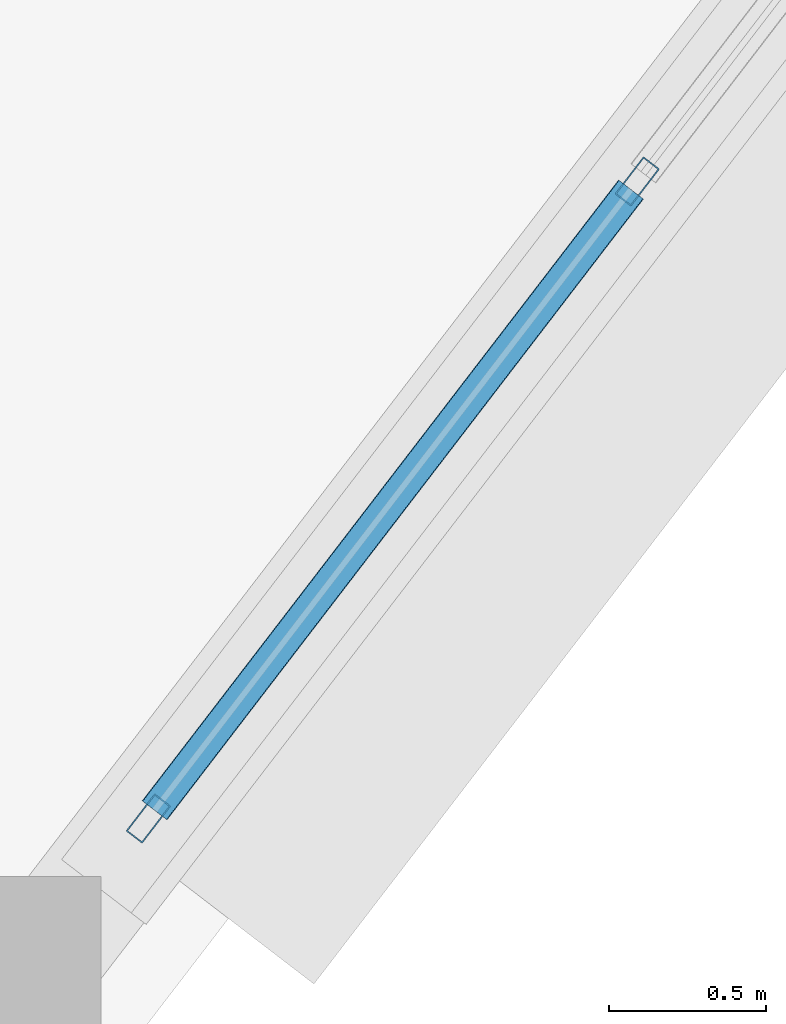
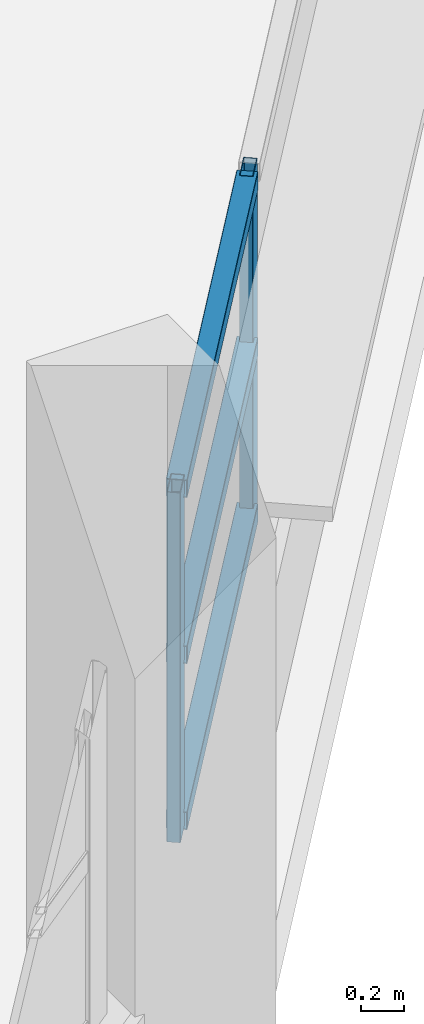
# One storey, part 47 of 108: 5 members, 1 element without a shape of its own.
"""IFC4 building model written with IfcOpenShell, lengths in metres."""

from ifc_helpers import new_model, si_unit, direction, frame, origin, origin_2d, place, context, subcontext, project, spatial, hollow_rectangle, extrude, material, layer, layer_set, material_profile, profile_set, type_object, element, aggregate, save


model = new_model("IFC4")

# Units and contexts
model_context = context("Model", 3, precision=1e-05, world=origin(), true_north=direction((0.0, 1.0)))
body_context = subcontext(model_context, "Body", "Model", "MODEL_VIEW")
ifc_project = project(units=[si_unit("LENGTHUNIT", "METRE"), si_unit("AREAUNIT", "SQUARE_METRE"), si_unit("VOLUMEUNIT", "CUBIC_METRE"), si_unit("PLANEANGLEUNIT", "RADIAN"), si_unit("MASSUNIT", "GRAM", prefix="KILO")], contexts=[model_context])

# Site, building, storey
site_placement = place(None, origin())
site = spatial("IfcSite", under=ifc_project, at=site_placement, CompositionType="ELEMENT")
building_placement = place(site_placement, origin())
building = spatial("IfcBuilding", under=site, at=building_placement, Name="Vespera Passage Community Centre", CompositionType="ELEMENT")
storey_placement = place(building_placement, frame((0.0, 0.0, 12.60009765625)))
storey = spatial("IfcBuildingStorey", under=building, at=storey_placement, Name="L03", CompositionType="ELEMENT", Elevation=12.60009765625)

# Curtain wall, members
ifc_material_1 = material(Name="Anodized aluminium 6063-T6", Category="aluminium")
ifc_layer = layer(ifc_material_1, 0.159912109375)
ifc_layer_set = layer_set([ifc_layer], Name="Anodized aluminium 6063-T6")
curtain_wall_type = type_object("IfcCurtainWallType", Name="CW-52E", PredefinedType="NOTDEFINED", material=ifc_layer_set)
curtain_wall_placement = place(storey_placement, origin())
curtain_wall = element("IfcCurtainWall", 1, at=curtain_wall_placement, inside=storey, type_object=curtain_wall_type, Name="V4 L03 Outer Ribbon Curtain Wall 21", PredefinedType="NOTDEFINED")
ifc_material_2 = material(Name="Anodized aluminium 6063-T6", Category="aluminium")
ifc_material_profile_1 = material_profile(ifc_material_2, hollow_rectangle(XDim=0.06494140625, YDim=0.14990234375, WallThickness=0.00390625, InnerFilletRadius=0.001953125, OuterFilletRadius=0.00390625, at=origin_2d()), Name="ALU150X65X4")
ifc_profile_set_1 = profile_set([ifc_material_profile_1], Name="Anodized aluminium 6063-T6")
member_type_1 = type_object("IfcMemberType", Name="MB-CWM-150E", PredefinedType="MULLION", material=ifc_profile_set_1)
member_1_placement = place(storey_placement, frame((112.68212890625, 35.618896484375, 0.81982421875), z_axis=(0.0, 0.0, 1.0), x_axis=(0.793350257139, -0.608765447029, 0.0)))
member_1 = element("IfcMember", 2, at=member_1_placement, type_object=member_type_1, Name="CW-52E mullion 4", PredefinedType="MULLION", context=body_context, shape_type="SweptSolid", body=[
    extrude(hollow_rectangle(XDim=0.06494140625, YDim=0.14990234375, WallThickness=0.00390625, InnerFilletRadius=0.001953125, OuterFilletRadius=0.00390625, at=origin_2d()), origin(), (0.0, 0.0, 1.0), 1.965576171875),
])
member_2_placement = place(storey_placement, frame((111.123291015625, 33.58740234375, 0.81982421875), z_axis=(0.0, 0.0, 1.0), x_axis=(0.793350257139, -0.608765447029, 0.0)))
member_2 = element("IfcMember", 3, at=member_2_placement, type_object=member_type_1, Name="CW-52E mullion 5", PredefinedType="MULLION", context=body_context, shape_type="SweptSolid", body=[
    extrude(hollow_rectangle(XDim=0.06494140625, YDim=0.14990234375, WallThickness=0.00390625, InnerFilletRadius=0.001953125, OuterFilletRadius=0.00390625, at=origin_2d()), origin(), (0.0, 0.0, 1.0), 1.965576171875),
])
ifc_material_3 = material(Name="Anodized aluminium 6063-T6", Category="aluminium")
ifc_material_profile_2 = material_profile(ifc_material_3, hollow_rectangle(XDim=0.10009765625, YDim=0.10009765625, WallThickness=0.00390625, InnerFilletRadius=0.001953125, OuterFilletRadius=0.00390625, at=origin_2d()), Name="ALU100X100X4")
ifc_profile_set_2 = profile_set([ifc_material_profile_2], Name="Anodized aluminium 6063-T6")
member_type_2 = type_object("IfcMemberType", Name="MB-CWT-100E", PredefinedType="USERDEFINED", material=ifc_profile_set_2)
member_3_placement = place(storey_placement, frame((112.662353515625, 35.59326171875, 0.869873046875), z_axis=(-0.608760082285, -0.793354373667, 0.0), x_axis=(0.793354373667, -0.608760082285, 0.0)))
member_3 = element("IfcMember", 4, at=member_3_placement, type_object=member_type_2, Name="CW-52E transom 4.1", ObjectType="TRANSOM", PredefinedType="USERDEFINED", context=body_context, shape_type="SweptSolid", body=[
    extrude(hollow_rectangle(XDim=0.10009765625, YDim=0.10009765625, WallThickness=0.00390625, InnerFilletRadius=0.001953125, OuterFilletRadius=0.00390625, at=origin_2d()), origin(), (0.0, 0.0, 1.0), 2.49560546875),
])
member_4_placement = place(storey_placement, frame((112.662353515625, 35.59326171875, 1.802734375), z_axis=(-0.608760082285, -0.793354373667, 0.0), x_axis=(0.793354373667, -0.608760082285, 0.0)))
member_4 = element("IfcMember", 5, at=member_4_placement, type_object=member_type_2, Name="CW-52E transom 4.2", ObjectType="TRANSOM", PredefinedType="USERDEFINED", context=body_context, shape_type="SweptSolid", body=[
    extrude(hollow_rectangle(XDim=0.10009765625, YDim=0.10009765625, WallThickness=0.00390625, InnerFilletRadius=0.001953125, OuterFilletRadius=0.00390625, at=origin_2d()), origin(), (0.0, 0.0, 1.0), 2.49560546875),
])
member_5_placement = place(storey_placement, frame((112.662353515625, 35.59326171875, 2.735595703125), z_axis=(-0.608760082285, -0.793354373667, 0.0), x_axis=(0.793354373667, -0.608760082285, 0.0)))
member_5 = element("IfcMember", 6, at=member_5_placement, type_object=member_type_2, Name="CW-52E transom 4.3", ObjectType="TRANSOM", PredefinedType="USERDEFINED", context=body_context, shape_type="SweptSolid", body=[
    extrude(hollow_rectangle(XDim=0.10009765625, YDim=0.10009765625, WallThickness=0.00390625, InnerFilletRadius=0.001953125, OuterFilletRadius=0.00390625, at=origin_2d()), origin(), (0.0, 0.0, 1.0), 2.49560546875),
])
aggregate(curtain_wall, [member_1, member_2, member_3, member_4, member_5])

save(model, "model.ifc")
